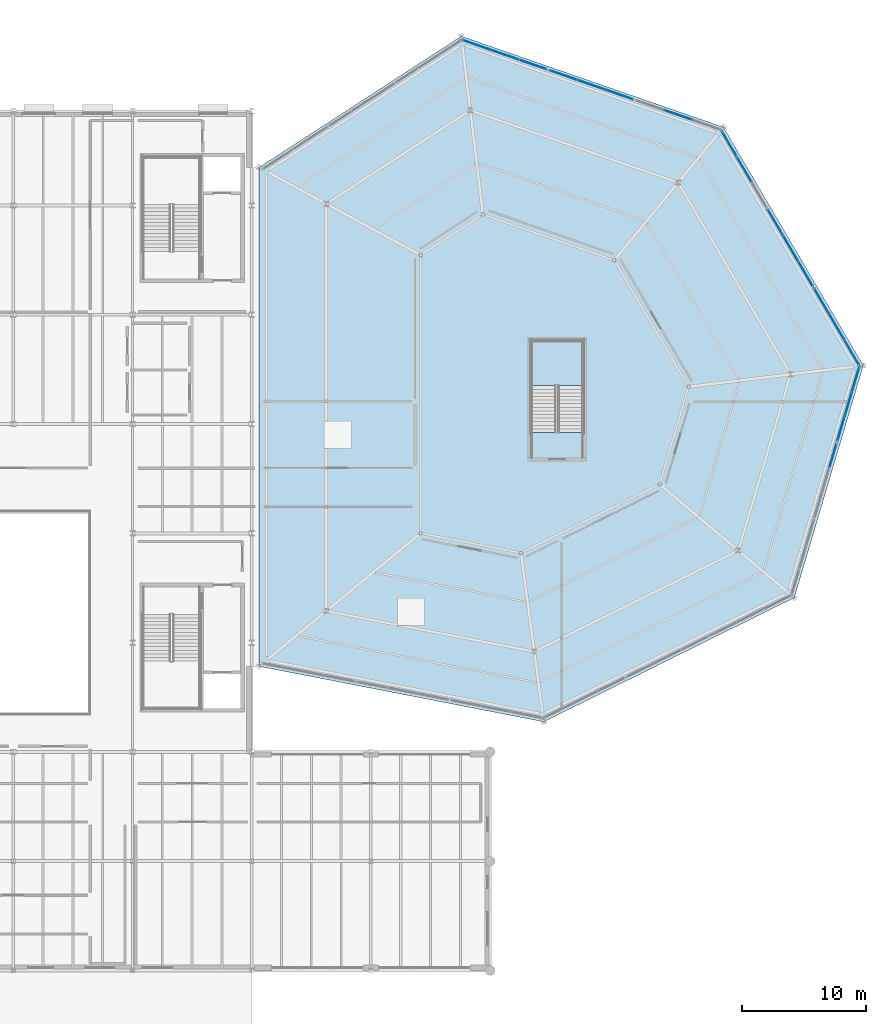
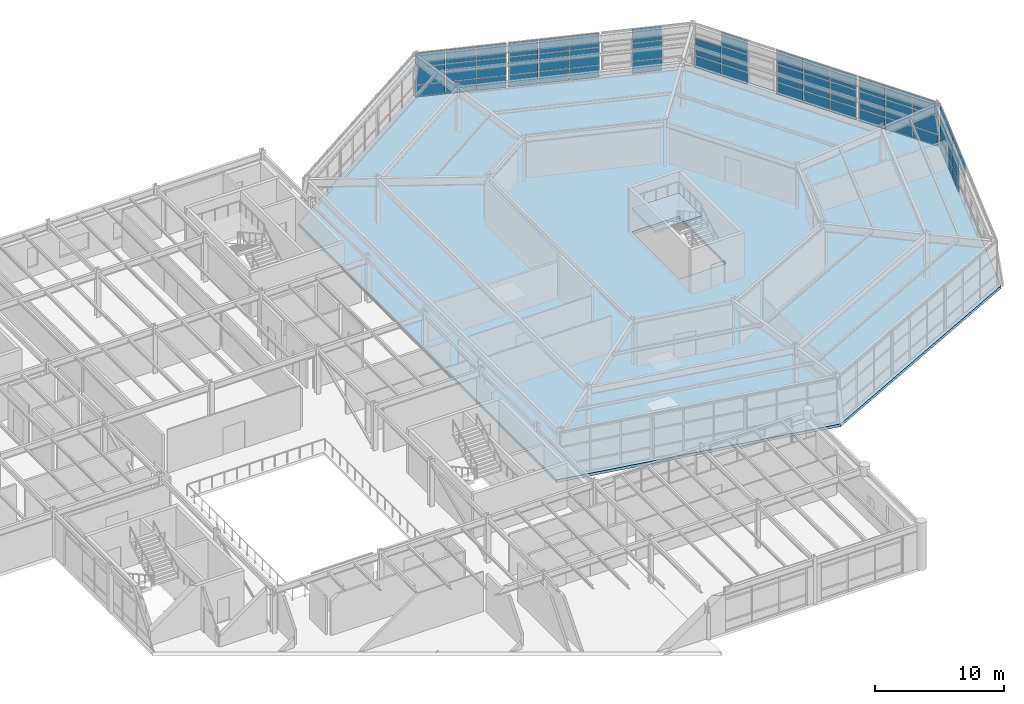
# One storey, part 56 of 88: 54 plates, 2 slabs, 9 elements without a shape of their own.
"""IFC4 building model written with IfcOpenShell, lengths in metres."""

from ifc_helpers import new_model, si_unit, direction, frame, origin, origin_2d, place, context, subcontext, project, spatial, polyline, rectangle, outline, extrude, material, layer, layer_set, type_object, element, aggregate, save


model = new_model("IFC4")

# Units and contexts
model_context = context("Model", 3, precision=1e-05, world=origin(), true_north=direction((0.0, 1.0)))
body_context = subcontext(model_context, "Body", "Model", "MODEL_VIEW")
ifc_project = project(units=[si_unit("LENGTHUNIT", "METRE"), si_unit("AREAUNIT", "SQUARE_METRE"), si_unit("VOLUMEUNIT", "CUBIC_METRE"), si_unit("PLANEANGLEUNIT", "RADIAN"), si_unit("MASSUNIT", "GRAM", prefix="KILO")], contexts=[model_context])

# Site, building, storey
site_placement = place(None, origin())
site = spatial("IfcSite", under=ifc_project, at=site_placement, CompositionType="ELEMENT")
building_placement = place(site_placement, origin())
building = spatial("IfcBuilding", under=site, at=building_placement, Name="Sarnbrook Museum", CompositionType="ELEMENT")
storey_placement = place(building_placement, frame((0.0, 0.0, 10.10009765625)))
storey = spatial("IfcBuildingStorey", under=building, at=storey_placement, Name="L02", CompositionType="ELEMENT", Elevation=10.10009765625)

# Curtain wall, plate
ifc_material_1 = material(Name="Thermally Broken Anodised Aluminium 6063-T6", Category="aluminium")
curtain_wall_type = type_object("IfcCurtainWallType", Name="CurtainWall_CrystalFacet", PredefinedType="NOTDEFINED", material=ifc_material_1)
curtain_wall_1_placement = place(storey_placement, origin())
curtain_wall_1 = element("IfcCurtainWall", 1, at=curtain_wall_1_placement, inside=storey, type_object=curtain_wall_type, Name="Crystal Hall Facet Curtain Wall L02-F3.2", PredefinedType="NOTDEFINED")
ifc_material_2 = material(Name="Double-Glazed Low-Iron Laminated Safety Glass", Category="glass")
ifc_layer_1 = layer(ifc_material_2, 0.031982421875)
ifc_layer_set_1 = layer_set([ifc_layer_1], Name="Double-Glazed Low-Iron Laminated Safety Glass")
plate_type_1 = type_object("IfcPlateType", Name="CW_GlazedPanel_32", PredefinedType="CURTAIN_PANEL", material=ifc_layer_set_1)
plate_1_placement = place(storey_placement, frame((166.001220703125, 80.652587890625, 3.544921875), z_axis=(0.95864604765, -0.284601045896, 0.0), x_axis=(0.284601045896, 0.95864604765, 0.0)))
plate_1 = element("IfcPlate", 2, at=plate_1_placement, type_object=plate_type_1, Name="Crystal Hall Facet Curtain Wall L02-F3.2 Glazed Panel 3-3", PredefinedType="CURTAIN_PANEL", context=body_context, shape_type="SweptSolid", body=[
    extrude(rectangle(XDim=2.0126953125, YDim=1.320068359375, at=origin_2d()), origin(), (0.0, 0.0, 1.0), 0.031982421875),
])
aggregate(curtain_wall_1, [plate_1])

# Curtain wall, plates
curtain_wall_2_placement = place(storey_placement, origin())
curtain_wall_2 = element("IfcCurtainWall", 3, at=curtain_wall_2_placement, inside=storey, type_object=curtain_wall_type, Name="Crystal Hall Facet Curtain Wall L02-F3.3", PredefinedType="NOTDEFINED")
plate_2_placement = place(storey_placement, frame((166.64111328125, 82.807373046875, 2.0), z_axis=(0.95864604765, -0.284601045896, 0.0), x_axis=(0.284601045896, 0.95864604765, 0.0)))
plate_2 = element("IfcPlate", 4, at=plate_2_placement, type_object=plate_type_1, Name="Crystal Hall Facet Curtain Wall L02-F3.3 Glazed Panel 1-2", PredefinedType="CURTAIN_PANEL", context=body_context, shape_type="SweptSolid", body=[
    extrude(rectangle(XDim=2.0126953125, YDim=1.6298828125, at=origin_2d()), origin(), (0.0, 0.0, 1.0), 0.031982421875),
])
plate_3_placement = place(storey_placement, frame((166.64111328125, 82.807373046875, 3.544921875), z_axis=(0.95864604765, -0.284601045896, 0.0), x_axis=(0.284601045896, 0.95864604765, 0.0)))
plate_3 = element("IfcPlate", 5, at=plate_3_placement, type_object=plate_type_1, Name="Crystal Hall Facet Curtain Wall L02-F3.3 Glazed Panel 1-3", PredefinedType="CURTAIN_PANEL", context=body_context, shape_type="SweptSolid", body=[
    extrude(rectangle(XDim=2.0126953125, YDim=1.320068359375, at=origin_2d()), origin(), (0.0, 0.0, 1.0), 0.031982421875),
])
plate_4_placement = place(storey_placement, frame((167.235107421875, 84.808837890625, 2.0), z_axis=(0.95864604765, -0.284601045896, 0.0), x_axis=(0.284601045896, 0.95864604765, 0.0)))
plate_4 = element("IfcPlate", 6, at=plate_4_placement, type_object=plate_type_1, Name="Crystal Hall Facet Curtain Wall L02-F3.3 Glazed Panel 2-2", PredefinedType="CURTAIN_PANEL", context=body_context, shape_type="SweptSolid", body=[
    extrude(rectangle(XDim=2.0126953125, YDim=1.6298828125, at=origin_2d()), origin(), (0.0, 0.0, 1.0), 0.031982421875),
])
plate_5_placement = place(storey_placement, frame((167.235107421875, 84.808837890625, 3.544921875), z_axis=(0.95864604765, -0.284601045896, 0.0), x_axis=(0.284601045896, 0.95864604765, 0.0)))
plate_5 = element("IfcPlate", 7, at=plate_5_placement, type_object=plate_type_1, Name="Crystal Hall Facet Curtain Wall L02-F3.3 Glazed Panel 2-3", PredefinedType="CURTAIN_PANEL", context=body_context, shape_type="SweptSolid", body=[
    extrude(rectangle(XDim=2.0126953125, YDim=1.320068359375, at=origin_2d()), origin(), (0.0, 0.0, 1.0), 0.031982421875),
])
plate_6_placement = place(storey_placement, frame((167.829345703125, 86.810302734375, 2.0), z_axis=(0.95864604765, -0.284601045896, 0.0), x_axis=(0.284601045896, 0.95864604765, 0.0)))
plate_6 = element("IfcPlate", 8, at=plate_6_placement, type_object=plate_type_1, Name="Crystal Hall Facet Curtain Wall L02-F3.3 Glazed Panel 3-2", PredefinedType="CURTAIN_PANEL", context=body_context, shape_type="SweptSolid", body=[
    extrude(rectangle(XDim=2.0126953125, YDim=1.6298828125, at=origin_2d()), origin(), (0.0, 0.0, 1.0), 0.031982421875),
])
plate_7_placement = place(storey_placement, frame((167.829345703125, 86.810302734375, 3.544921875), z_axis=(0.95864604765, -0.284601045896, 0.0), x_axis=(0.284601045896, 0.95864604765, 0.0)))
plate_7 = element("IfcPlate", 9, at=plate_7_placement, type_object=plate_type_1, Name="Crystal Hall Facet Curtain Wall L02-F3.3 Glazed Panel 3-3", PredefinedType="CURTAIN_PANEL", context=body_context, shape_type="SweptSolid", body=[
    extrude(rectangle(XDim=2.0126953125, YDim=1.320068359375, at=origin_2d()), origin(), (0.0, 0.0, 1.0), 0.031982421875),
])

curtain_wall_3_placement = place(storey_placement, origin())
curtain_wall_3 = element("IfcCurtainWall", 10, at=curtain_wall_3_placement, inside=storey, type_object=curtain_wall_type, Name="Crystal Hall Facet Curtain Wall L02-F4.1", PredefinedType="NOTDEFINED")
plate_8_placement = place(storey_placement, frame((167.50390625, 88.982666015625, 2.0), z_axis=(0.862497769864, 0.50606086292, 0.0), x_axis=(-0.50606086292, 0.862497769864, 0.0)))
plate_8 = element("IfcPlate", 11, at=plate_8_placement, type_object=plate_type_1, Name="Crystal Hall Facet Curtain Wall L02-F4.1 Glazed Panel 1-2", PredefinedType="CURTAIN_PANEL", context=body_context, shape_type="SweptSolid", body=[
    extrude(rectangle(XDim=2.31884765625, YDim=1.6298828125, at=origin_2d()), origin(), (0.0, 0.0, 1.0), 0.031982421875),
])
plate_9_placement = place(storey_placement, frame((167.50390625, 88.982666015625, 3.544921875), z_axis=(0.862497769864, 0.50606086292, 0.0), x_axis=(-0.50606086292, 0.862497769864, 0.0)))
plate_9 = element("IfcPlate", 12, at=plate_9_placement, type_object=plate_type_1, Name="Crystal Hall Facet Curtain Wall L02-F4.1 Glazed Panel 1-3", PredefinedType="CURTAIN_PANEL", context=body_context, shape_type="SweptSolid", body=[
    extrude(rectangle(XDim=2.31884765625, YDim=1.320068359375, at=origin_2d()), origin(), (0.0, 0.0, 1.0), 0.031982421875),
])
plate_10_placement = place(storey_placement, frame((166.29248046875, 91.04736328125, 2.0), z_axis=(0.862497769864, 0.50606086292, 0.0), x_axis=(-0.50606086292, 0.862497769864, 0.0)))
plate_10 = element("IfcPlate", 13, at=plate_10_placement, type_object=plate_type_1, Name="Crystal Hall Facet Curtain Wall L02-F4.1 Glazed Panel 2-2", PredefinedType="CURTAIN_PANEL", context=body_context, shape_type="SweptSolid", body=[
    extrude(rectangle(XDim=2.31884765625, YDim=1.6298828125, at=origin_2d()), origin(), (0.0, 0.0, 1.0), 0.031982421875),
])
plate_11_placement = place(storey_placement, frame((166.29248046875, 91.04736328125, 3.544921875), z_axis=(0.862497769864, 0.50606086292, 0.0), x_axis=(-0.50606086292, 0.862497769864, 0.0)))
plate_11 = element("IfcPlate", 14, at=plate_11_placement, type_object=plate_type_1, Name="Crystal Hall Facet Curtain Wall L02-F4.1 Glazed Panel 2-3", PredefinedType="CURTAIN_PANEL", context=body_context, shape_type="SweptSolid", body=[
    extrude(rectangle(XDim=2.31884765625, YDim=1.320068359375, at=origin_2d()), origin(), (0.0, 0.0, 1.0), 0.031982421875),
])
plate_12_placement = place(storey_placement, frame((165.0810546875, 93.112060546875, 2.0), z_axis=(0.862497769864, 0.50606086292, 0.0), x_axis=(-0.50606086292, 0.862497769864, 0.0)))
plate_12 = element("IfcPlate", 15, at=plate_12_placement, type_object=plate_type_1, Name="Crystal Hall Facet Curtain Wall L02-F4.1 Glazed Panel 3-2", PredefinedType="CURTAIN_PANEL", context=body_context, shape_type="SweptSolid", body=[
    extrude(rectangle(XDim=2.31884765625, YDim=1.6298828125, at=origin_2d()), origin(), (0.0, 0.0, 1.0), 0.031982421875),
])
plate_13_placement = place(storey_placement, frame((165.0810546875, 93.112060546875, 3.544921875), z_axis=(0.862497769864, 0.50606086292, 0.0), x_axis=(-0.50606086292, 0.862497769864, 0.0)))
plate_13 = element("IfcPlate", 16, at=plate_13_placement, type_object=plate_type_1, Name="Crystal Hall Facet Curtain Wall L02-F4.1 Glazed Panel 3-3", PredefinedType="CURTAIN_PANEL", context=body_context, shape_type="SweptSolid", body=[
    extrude(rectangle(XDim=2.31884765625, YDim=1.320068359375, at=origin_2d()), origin(), (0.0, 0.0, 1.0), 0.031982421875),
])

curtain_wall_4_placement = place(storey_placement, origin())
curtain_wall_4 = element("IfcCurtainWall", 17, at=curtain_wall_4_placement, inside=storey, type_object=curtain_wall_type, Name="Crystal Hall Facet Curtain Wall L02-F4.2", PredefinedType="NOTDEFINED")
plate_14_placement = place(storey_placement, frame((163.78857421875, 95.31494140625, 2.0), z_axis=(0.862497769864, 0.50606086292, 0.0), x_axis=(-0.50606086292, 0.862497769864, 0.0)))
plate_14 = element("IfcPlate", 18, at=plate_14_placement, type_object=plate_type_1, Name="Crystal Hall Facet Curtain Wall L02-F4.2 Glazed Panel 1-2", PredefinedType="CURTAIN_PANEL", context=body_context, shape_type="SweptSolid", body=[
    extrude(rectangle(XDim=2.31884765625, YDim=1.6298828125, at=origin_2d()), origin(), (0.0, 0.0, 1.0), 0.031982421875),
])
plate_15_placement = place(storey_placement, frame((163.78857421875, 95.31494140625, 3.544921875), z_axis=(0.862497769864, 0.50606086292, 0.0), x_axis=(-0.50606086292, 0.862497769864, 0.0)))
plate_15 = element("IfcPlate", 19, at=plate_15_placement, type_object=plate_type_1, Name="Crystal Hall Facet Curtain Wall L02-F4.2 Glazed Panel 1-3", PredefinedType="CURTAIN_PANEL", context=body_context, shape_type="SweptSolid", body=[
    extrude(rectangle(XDim=2.31884765625, YDim=1.320068359375, at=origin_2d()), origin(), (0.0, 0.0, 1.0), 0.031982421875),
])
plate_16_placement = place(storey_placement, frame((162.5771484375, 97.379638671875, 2.0), z_axis=(0.862497769864, 0.50606086292, 0.0), x_axis=(-0.50606086292, 0.862497769864, 0.0)))
plate_16 = element("IfcPlate", 20, at=plate_16_placement, type_object=plate_type_1, Name="Crystal Hall Facet Curtain Wall L02-F4.2 Glazed Panel 2-2", PredefinedType="CURTAIN_PANEL", context=body_context, shape_type="SweptSolid", body=[
    extrude(rectangle(XDim=2.31884765625, YDim=1.6298828125, at=origin_2d()), origin(), (0.0, 0.0, 1.0), 0.031982421875),
])
plate_17_placement = place(storey_placement, frame((162.5771484375, 97.379638671875, 3.544921875), z_axis=(0.862497769864, 0.50606086292, 0.0), x_axis=(-0.50606086292, 0.862497769864, 0.0)))
plate_17 = element("IfcPlate", 21, at=plate_17_placement, type_object=plate_type_1, Name="Crystal Hall Facet Curtain Wall L02-F4.2 Glazed Panel 2-3", PredefinedType="CURTAIN_PANEL", context=body_context, shape_type="SweptSolid", body=[
    extrude(rectangle(XDim=2.31884765625, YDim=1.320068359375, at=origin_2d()), origin(), (0.0, 0.0, 1.0), 0.031982421875),
])
plate_18_placement = place(storey_placement, frame((161.36572265625, 99.4443359375, 2.0), z_axis=(0.862497769864, 0.50606086292, 0.0), x_axis=(-0.50606086292, 0.862497769864, 0.0)))
plate_18 = element("IfcPlate", 22, at=plate_18_placement, type_object=plate_type_1, Name="Crystal Hall Facet Curtain Wall L02-F4.2 Glazed Panel 3-2", PredefinedType="CURTAIN_PANEL", context=body_context, shape_type="SweptSolid", body=[
    extrude(rectangle(XDim=2.31884765625, YDim=1.6298828125, at=origin_2d()), origin(), (0.0, 0.0, 1.0), 0.031982421875),
])
plate_19_placement = place(storey_placement, frame((161.36572265625, 99.4443359375, 3.544921875), z_axis=(0.862497769864, 0.50606086292, 0.0), x_axis=(-0.50606086292, 0.862497769864, 0.0)))
plate_19 = element("IfcPlate", 23, at=plate_19_placement, type_object=plate_type_1, Name="Crystal Hall Facet Curtain Wall L02-F4.2 Glazed Panel 3-3", PredefinedType="CURTAIN_PANEL", context=body_context, shape_type="SweptSolid", body=[
    extrude(rectangle(XDim=2.31884765625, YDim=1.320068359375, at=origin_2d()), origin(), (0.0, 0.0, 1.0), 0.031982421875),
])

curtain_wall_5_placement = place(storey_placement, origin())
curtain_wall_5 = element("IfcCurtainWall", 24, at=curtain_wall_5_placement, inside=storey, type_object=curtain_wall_type, Name="Crystal Hall Facet Curtain Wall L02-F4.3", PredefinedType="NOTDEFINED")
plate_20_placement = place(storey_placement, frame((158.86181640625, 103.7119140625, 2.0), z_axis=(0.862497769864, 0.50606086292, 0.0), x_axis=(-0.50606086292, 0.862497769864, 0.0)))
plate_20 = element("IfcPlate", 25, at=plate_20_placement, type_object=plate_type_1, Name="Crystal Hall Facet Curtain Wall L02-F4.3 Glazed Panel 2-2", PredefinedType="CURTAIN_PANEL", context=body_context, shape_type="SweptSolid", body=[
    extrude(rectangle(XDim=2.31884765625, YDim=1.6298828125, at=origin_2d()), origin(), (0.0, 0.0, 1.0), 0.031982421875),
])
plate_21_placement = place(storey_placement, frame((158.86181640625, 103.7119140625, 3.544921875), z_axis=(0.862497769864, 0.50606086292, 0.0), x_axis=(-0.50606086292, 0.862497769864, 0.0)))
plate_21 = element("IfcPlate", 26, at=plate_21_placement, type_object=plate_type_1, Name="Crystal Hall Facet Curtain Wall L02-F4.3 Glazed Panel 2-3", PredefinedType="CURTAIN_PANEL", context=body_context, shape_type="SweptSolid", body=[
    extrude(rectangle(XDim=2.31884765625, YDim=1.320068359375, at=origin_2d()), origin(), (0.0, 0.0, 1.0), 0.031982421875),
])
plate_22_placement = place(storey_placement, frame((157.650146484375, 105.776611328125, 2.0), z_axis=(0.862497769864, 0.50606086292, 0.0), x_axis=(-0.50606086292, 0.862497769864, 0.0)))
plate_22 = element("IfcPlate", 27, at=plate_22_placement, type_object=plate_type_1, Name="Crystal Hall Facet Curtain Wall L02-F4.3 Glazed Panel 3-2", PredefinedType="CURTAIN_PANEL", context=body_context, shape_type="SweptSolid", body=[
    extrude(rectangle(XDim=2.31884765625, YDim=1.6298828125, at=origin_2d()), origin(), (0.0, 0.0, 1.0), 0.031982421875),
])

curtain_wall_6_placement = place(storey_placement, origin())
curtain_wall_6 = element("IfcCurtainWall", 28, at=curtain_wall_6_placement, inside=storey, type_object=curtain_wall_type, Name="Crystal Hall Facet Curtain Wall L02-F5.1", PredefinedType="NOTDEFINED")
plate_23_placement = place(storey_placement, frame((153.52587890625, 108.08349609375, 2.0), z_axis=(0.328013258134, 0.944673119385, 0.0), x_axis=(-0.944673119385, 0.328013258134, 0.0)))
plate_23 = element("IfcPlate", 29, at=plate_23_placement, type_object=plate_type_1, Name="Crystal Hall Facet Curtain Wall L02-F5.1 Glazed Panel 2-2", PredefinedType="CURTAIN_PANEL", context=body_context, shape_type="SweptSolid", body=[
    extrude(rectangle(XDim=2.3291015625, YDim=1.6298828125, at=origin_2d()), origin(), (0.0, 0.0, 1.0), 0.031982421875),
])
plate_24_placement = place(storey_placement, frame((153.52587890625, 108.08349609375, 3.544921875), z_axis=(0.328013258134, 0.944673119385, 0.0), x_axis=(-0.944673119385, 0.328013258134, 0.0)))
plate_24 = element("IfcPlate", 30, at=plate_24_placement, type_object=plate_type_1, Name="Crystal Hall Facet Curtain Wall L02-F5.1 Glazed Panel 2-3", PredefinedType="CURTAIN_PANEL", context=body_context, shape_type="SweptSolid", body=[
    extrude(rectangle(XDim=2.3291015625, YDim=1.320068359375, at=origin_2d()), origin(), (0.0, 0.0, 1.0), 0.031982421875),
])

curtain_wall_7_placement = place(storey_placement, origin())
curtain_wall_7 = element("IfcCurtainWall", 31, at=curtain_wall_7_placement, inside=storey, type_object=curtain_wall_type, Name="Crystal Hall Facet Curtain Wall L02-F5.2", PredefinedType="NOTDEFINED")
plate_25_placement = place(storey_placement, frame((148.83251953125, 109.71337890625, 2.0), z_axis=(0.328013258134, 0.944673119385, 0.0), x_axis=(-0.944673119385, 0.328013258134, 0.0)))
plate_25 = element("IfcPlate", 32, at=plate_25_placement, type_object=plate_type_1, Name="Crystal Hall Facet Curtain Wall L02-F5.2 Glazed Panel 1-2", PredefinedType="CURTAIN_PANEL", context=body_context, shape_type="SweptSolid", body=[
    extrude(rectangle(XDim=2.3291015625, YDim=1.6298828125, at=origin_2d()), origin(), (0.0, 0.0, 1.0), 0.031982421875),
])
plate_26_placement = place(storey_placement, frame((148.83251953125, 109.71337890625, 3.544921875), z_axis=(0.328013258134, 0.944673119385, 0.0), x_axis=(-0.944673119385, 0.328013258134, 0.0)))
plate_26 = element("IfcPlate", 33, at=plate_26_placement, type_object=plate_type_1, Name="Crystal Hall Facet Curtain Wall L02-F5.2 Glazed Panel 1-3", PredefinedType="CURTAIN_PANEL", context=body_context, shape_type="SweptSolid", body=[
    extrude(rectangle(XDim=2.3291015625, YDim=1.320068359375, at=origin_2d()), origin(), (0.0, 0.0, 1.0), 0.031982421875),
])
plate_27_placement = place(storey_placement, frame((146.561279296875, 110.501953125, 2.0), z_axis=(0.328013258134, 0.944673119385, 0.0), x_axis=(-0.944673119385, 0.328013258134, 0.0)))
plate_27 = element("IfcPlate", 34, at=plate_27_placement, type_object=plate_type_1, Name="Crystal Hall Facet Curtain Wall L02-F5.2 Glazed Panel 2-2", PredefinedType="CURTAIN_PANEL", context=body_context, shape_type="SweptSolid", body=[
    extrude(rectangle(XDim=2.3291015625, YDim=1.6298828125, at=origin_2d()), origin(), (0.0, 0.0, 1.0), 0.031982421875),
])
plate_28_placement = place(storey_placement, frame((146.561279296875, 110.501953125, 3.544921875), z_axis=(0.328013258134, 0.944673119385, 0.0), x_axis=(-0.944673119385, 0.328013258134, 0.0)))
plate_28 = element("IfcPlate", 35, at=plate_28_placement, type_object=plate_type_1, Name="Crystal Hall Facet Curtain Wall L02-F5.2 Glazed Panel 2-3", PredefinedType="CURTAIN_PANEL", context=body_context, shape_type="SweptSolid", body=[
    extrude(rectangle(XDim=2.3291015625, YDim=1.320068359375, at=origin_2d()), origin(), (0.0, 0.0, 1.0), 0.031982421875),
])
plate_29_placement = place(storey_placement, frame((144.290283203125, 111.29052734375, 2.0), z_axis=(0.328013258134, 0.944673119385, 0.0), x_axis=(-0.944673119385, 0.328013258134, 0.0)))
plate_29 = element("IfcPlate", 36, at=plate_29_placement, type_object=plate_type_1, Name="Crystal Hall Facet Curtain Wall L02-F5.2 Glazed Panel 3-2", PredefinedType="CURTAIN_PANEL", context=body_context, shape_type="SweptSolid", body=[
    extrude(rectangle(XDim=2.3291015625, YDim=1.6298828125, at=origin_2d()), origin(), (0.0, 0.0, 1.0), 0.031982421875),
])
plate_30_placement = place(storey_placement, frame((144.290283203125, 111.29052734375, 3.544921875), z_axis=(0.328013258134, 0.944673119385, 0.0), x_axis=(-0.944673119385, 0.328013258134, 0.0)))
plate_30 = element("IfcPlate", 37, at=plate_30_placement, type_object=plate_type_1, Name="Crystal Hall Facet Curtain Wall L02-F5.2 Glazed Panel 3-3", PredefinedType="CURTAIN_PANEL", context=body_context, shape_type="SweptSolid", body=[
    extrude(rectangle(XDim=2.3291015625, YDim=1.320068359375, at=origin_2d()), origin(), (0.0, 0.0, 1.0), 0.031982421875),
])

curtain_wall_8_placement = place(storey_placement, origin())
curtain_wall_8 = element("IfcCurtainWall", 38, at=curtain_wall_8_placement, inside=storey, type_object=curtain_wall_type, Name="Crystal Hall Facet Curtain Wall L02-F5.3", PredefinedType="NOTDEFINED")
plate_31_placement = place(storey_placement, frame((141.86767578125, 112.131591796875, 2.0), z_axis=(0.328013258134, 0.944673119385, 0.0), x_axis=(-0.944673119385, 0.328013258134, 0.0)))
plate_31 = element("IfcPlate", 39, at=plate_31_placement, type_object=plate_type_1, Name="Crystal Hall Facet Curtain Wall L02-F5.3 Glazed Panel 1-2", PredefinedType="CURTAIN_PANEL", context=body_context, shape_type="SweptSolid", body=[
    extrude(rectangle(XDim=2.3291015625, YDim=1.6298828125, at=origin_2d()), origin(), (0.0, 0.0, 1.0), 0.031982421875),
])
plate_32_placement = place(storey_placement, frame((141.86767578125, 112.131591796875, 3.544921875), z_axis=(0.328013258134, 0.944673119385, 0.0), x_axis=(-0.944673119385, 0.328013258134, 0.0)))
plate_32 = element("IfcPlate", 40, at=plate_32_placement, type_object=plate_type_1, Name="Crystal Hall Facet Curtain Wall L02-F5.3 Glazed Panel 1-3", PredefinedType="CURTAIN_PANEL", context=body_context, shape_type="SweptSolid", body=[
    extrude(rectangle(XDim=2.3291015625, YDim=1.320068359375, at=origin_2d()), origin(), (0.0, 0.0, 1.0), 0.031982421875),
])
plate_33_placement = place(storey_placement, frame((139.5966796875, 112.920166015625, 2.0), z_axis=(0.328013258134, 0.944673119385, 0.0), x_axis=(-0.944673119385, 0.328013258134, 0.0)))
plate_33 = element("IfcPlate", 41, at=plate_33_placement, type_object=plate_type_1, Name="Crystal Hall Facet Curtain Wall L02-F5.3 Glazed Panel 2-2", PredefinedType="CURTAIN_PANEL", context=body_context, shape_type="SweptSolid", body=[
    extrude(rectangle(XDim=2.3291015625, YDim=1.6298828125, at=origin_2d()), origin(), (0.0, 0.0, 1.0), 0.031982421875),
])
plate_34_placement = place(storey_placement, frame((139.5966796875, 112.920166015625, 3.544921875), z_axis=(0.328013258134, 0.944673119385, 0.0), x_axis=(-0.944673119385, 0.328013258134, 0.0)))
plate_34 = element("IfcPlate", 42, at=plate_34_placement, type_object=plate_type_1, Name="Crystal Hall Facet Curtain Wall L02-F5.3 Glazed Panel 2-3", PredefinedType="CURTAIN_PANEL", context=body_context, shape_type="SweptSolid", body=[
    extrude(rectangle(XDim=2.3291015625, YDim=1.320068359375, at=origin_2d()), origin(), (0.0, 0.0, 1.0), 0.031982421875),
])
plate_35_placement = place(storey_placement, frame((137.325439453125, 113.708740234375, 2.0), z_axis=(0.328013258134, 0.944673119385, 0.0), x_axis=(-0.944673119385, 0.328013258134, 0.0)))
plate_35 = element("IfcPlate", 43, at=plate_35_placement, type_object=plate_type_1, Name="Crystal Hall Facet Curtain Wall L02-F5.3 Glazed Panel 3-2", PredefinedType="CURTAIN_PANEL", context=body_context, shape_type="SweptSolid", body=[
    extrude(rectangle(XDim=2.3291015625, YDim=1.6298828125, at=origin_2d()), origin(), (0.0, 0.0, 1.0), 0.031982421875),
])
plate_36_placement = place(storey_placement, frame((137.325439453125, 113.708740234375, 3.544921875), z_axis=(0.328013258134, 0.944673119385, 0.0), x_axis=(-0.944673119385, 0.328013258134, 0.0)))
plate_36 = element("IfcPlate", 44, at=plate_36_placement, type_object=plate_type_1, Name="Crystal Hall Facet Curtain Wall L02-F5.3 Glazed Panel 3-3", PredefinedType="CURTAIN_PANEL", context=body_context, shape_type="SweptSolid", body=[
    extrude(rectangle(XDim=2.3291015625, YDim=1.320068359375, at=origin_2d()), origin(), (0.0, 0.0, 1.0), 0.031982421875),
])

# Plate
ifc_material_3 = material(Name="Patinated Architectural Bronze")
ifc_layer_2 = layer(ifc_material_3, 0.044921875)
ifc_layer_set_2 = layer_set([ifc_layer_2], Name="Patinated Architectural Bronze")
plate_type_2 = type_object("IfcPlateType", Name="CW_SpandrelPanel_45", PredefinedType="CURTAIN_PANEL", material=ifc_layer_set_2)
plate_37_placement = place(storey_placement, frame((166.635009765625, 82.80908203125, 0.574951171875), z_axis=(0.95864604765, -0.284601045896, 0.0), x_axis=(0.284601045896, 0.95864604765, 0.0)))
plate_37 = element("IfcPlate", 45, at=plate_37_placement, type_object=plate_type_2, Name="Crystal Hall Facet Curtain Wall L02-F3.3 Spandrel Panel 1-1", PredefinedType="CURTAIN_PANEL", context=body_context, shape_type="SweptSolid", body=[
    extrude(rectangle(XDim=2.0126953125, YDim=1.080078125, at=origin_2d()), origin(), (0.0, 0.0, 1.0), 0.044921875),
])

plate_38_placement = place(storey_placement, frame((167.22900390625, 84.810546875, 0.574951171875), z_axis=(0.95864604765, -0.284601045896, 0.0), x_axis=(0.284601045896, 0.95864604765, 0.0)))
plate_38 = element("IfcPlate", 46, at=plate_38_placement, type_object=plate_type_2, Name="Crystal Hall Facet Curtain Wall L02-F3.3 Spandrel Panel 2-1", PredefinedType="CURTAIN_PANEL", context=body_context, shape_type="SweptSolid", body=[
    extrude(rectangle(XDim=2.0126953125, YDim=1.080078125, at=origin_2d()), origin(), (0.0, 0.0, 1.0), 0.044921875),
])

plate_39_placement = place(storey_placement, frame((167.8232421875, 86.81201171875, 0.574951171875), z_axis=(0.95864604765, -0.284601045896, 0.0), x_axis=(0.284601045896, 0.95864604765, 0.0)))
plate_39 = element("IfcPlate", 47, at=plate_39_placement, type_object=plate_type_2, Name="Crystal Hall Facet Curtain Wall L02-F3.3 Spandrel Panel 3-1", PredefinedType="CURTAIN_PANEL", context=body_context, shape_type="SweptSolid", body=[
    extrude(rectangle(XDim=2.0126953125, YDim=1.080078125, at=origin_2d()), origin(), (0.0, 0.0, 1.0), 0.044921875),
])

aggregate(curtain_wall_2, [plate_37, plate_2, plate_3, plate_38, plate_4, plate_5, plate_39, plate_6, plate_7])

plate_40_placement = place(storey_placement, frame((167.498291015625, 88.979248046875, 0.574951171875), z_axis=(0.862497769864, 0.50606086292, 0.0), x_axis=(-0.50606086292, 0.862497769864, 0.0)))
plate_40 = element("IfcPlate", 48, at=plate_40_placement, type_object=plate_type_2, Name="Crystal Hall Facet Curtain Wall L02-F4.1 Spandrel Panel 1-1", PredefinedType="CURTAIN_PANEL", context=body_context, shape_type="SweptSolid", body=[
    extrude(rectangle(XDim=2.31884765625, YDim=1.080078125, at=origin_2d()), origin(), (0.0, 0.0, 1.0), 0.044921875),
])

plate_41_placement = place(storey_placement, frame((166.286865234375, 91.0439453125, 0.574951171875), z_axis=(0.862497769864, 0.50606086292, 0.0), x_axis=(-0.50606086292, 0.862497769864, 0.0)))
plate_41 = element("IfcPlate", 49, at=plate_41_placement, type_object=plate_type_2, Name="Crystal Hall Facet Curtain Wall L02-F4.1 Spandrel Panel 2-1", PredefinedType="CURTAIN_PANEL", context=body_context, shape_type="SweptSolid", body=[
    extrude(rectangle(XDim=2.31884765625, YDim=1.080078125, at=origin_2d()), origin(), (0.0, 0.0, 1.0), 0.044921875),
])

plate_42_placement = place(storey_placement, frame((165.075439453125, 93.108642578125, 0.574951171875), z_axis=(0.862497769864, 0.50606086292, 0.0), x_axis=(-0.50606086292, 0.862497769864, 0.0)))
plate_42 = element("IfcPlate", 50, at=plate_42_placement, type_object=plate_type_2, Name="Crystal Hall Facet Curtain Wall L02-F4.1 Spandrel Panel 3-1", PredefinedType="CURTAIN_PANEL", context=body_context, shape_type="SweptSolid", body=[
    extrude(rectangle(XDim=2.31884765625, YDim=1.080078125, at=origin_2d()), origin(), (0.0, 0.0, 1.0), 0.044921875),
])

aggregate(curtain_wall_3, [plate_40, plate_8, plate_9, plate_41, plate_10, plate_11, plate_42, plate_12, plate_13])

plate_43_placement = place(storey_placement, frame((163.782958984375, 95.3115234375, 0.574951171875), z_axis=(0.862497769864, 0.50606086292, 0.0), x_axis=(-0.50606086292, 0.862497769864, 0.0)))
plate_43 = element("IfcPlate", 51, at=plate_43_placement, type_object=plate_type_2, Name="Crystal Hall Facet Curtain Wall L02-F4.2 Spandrel Panel 1-1", PredefinedType="CURTAIN_PANEL", context=body_context, shape_type="SweptSolid", body=[
    extrude(rectangle(XDim=2.31884765625, YDim=1.080078125, at=origin_2d()), origin(), (0.0, 0.0, 1.0), 0.044921875),
])

plate_44_placement = place(storey_placement, frame((162.571533203125, 97.376220703125, 0.574951171875), z_axis=(0.862497769864, 0.50606086292, 0.0), x_axis=(-0.50606086292, 0.862497769864, 0.0)))
plate_44 = element("IfcPlate", 52, at=plate_44_placement, type_object=plate_type_2, Name="Crystal Hall Facet Curtain Wall L02-F4.2 Spandrel Panel 2-1", PredefinedType="CURTAIN_PANEL", context=body_context, shape_type="SweptSolid", body=[
    extrude(rectangle(XDim=2.31884765625, YDim=1.080078125, at=origin_2d()), origin(), (0.0, 0.0, 1.0), 0.044921875),
])

plate_45_placement = place(storey_placement, frame((161.360107421875, 99.44091796875, 0.574951171875), z_axis=(0.862497769864, 0.50606086292, 0.0), x_axis=(-0.50606086292, 0.862497769864, 0.0)))
plate_45 = element("IfcPlate", 53, at=plate_45_placement, type_object=plate_type_2, Name="Crystal Hall Facet Curtain Wall L02-F4.2 Spandrel Panel 3-1", PredefinedType="CURTAIN_PANEL", context=body_context, shape_type="SweptSolid", body=[
    extrude(rectangle(XDim=2.31884765625, YDim=1.080078125, at=origin_2d()), origin(), (0.0, 0.0, 1.0), 0.044921875),
])

aggregate(curtain_wall_4, [plate_43, plate_14, plate_15, plate_44, plate_16, plate_17, plate_45, plate_18, plate_19])

plate_46_placement = place(storey_placement, frame((158.856201171875, 103.70849609375, 0.574951171875), z_axis=(0.862497769864, 0.50606086292, 0.0), x_axis=(-0.50606086292, 0.862497769864, 0.0)))
plate_46 = element("IfcPlate", 54, at=plate_46_placement, type_object=plate_type_2, Name="Crystal Hall Facet Curtain Wall L02-F4.3 Spandrel Panel 2-1", PredefinedType="CURTAIN_PANEL", context=body_context, shape_type="SweptSolid", body=[
    extrude(rectangle(XDim=2.31884765625, YDim=1.080078125, at=origin_2d()), origin(), (0.0, 0.0, 1.0), 0.044921875),
])

plate_47_placement = place(storey_placement, frame((157.64453125, 105.773193359375, 0.574951171875), z_axis=(0.862497769864, 0.50606086292, 0.0), x_axis=(-0.50606086292, 0.862497769864, 0.0)))
plate_47 = element("IfcPlate", 55, at=plate_47_placement, type_object=plate_type_2, Name="Crystal Hall Facet Curtain Wall L02-F4.3 Spandrel Panel 3-1", PredefinedType="CURTAIN_PANEL", context=body_context, shape_type="SweptSolid", body=[
    extrude(rectangle(XDim=2.31884765625, YDim=1.080078125, at=origin_2d()), origin(), (0.0, 0.0, 1.0), 0.044921875),
])

aggregate(curtain_wall_5, [plate_46, plate_20, plate_21, plate_47, plate_22])

plate_48_placement = place(storey_placement, frame((153.523681640625, 108.077392578125, 0.574951171875), z_axis=(0.328013258134, 0.944673119385, 0.0), x_axis=(-0.944673119385, 0.328013258134, 0.0)))
plate_48 = element("IfcPlate", 56, at=plate_48_placement, type_object=plate_type_2, Name="Crystal Hall Facet Curtain Wall L02-F5.1 Spandrel Panel 2-1", PredefinedType="CURTAIN_PANEL", context=body_context, shape_type="SweptSolid", body=[
    extrude(rectangle(XDim=2.3291015625, YDim=1.080078125, at=origin_2d()), origin(), (0.0, 0.0, 1.0), 0.044921875),
])

aggregate(curtain_wall_6, [plate_48, plate_23, plate_24])

plate_49_placement = place(storey_placement, frame((148.830322265625, 109.707275390625, 0.574951171875), z_axis=(0.328013258134, 0.944673119385, 0.0), x_axis=(-0.944673119385, 0.328013258134, 0.0)))
plate_49 = element("IfcPlate", 57, at=plate_49_placement, type_object=plate_type_2, Name="Crystal Hall Facet Curtain Wall L02-F5.2 Spandrel Panel 1-1", PredefinedType="CURTAIN_PANEL", context=body_context, shape_type="SweptSolid", body=[
    extrude(rectangle(XDim=2.3291015625, YDim=1.080078125, at=origin_2d()), origin(), (0.0, 0.0, 1.0), 0.044921875),
])

plate_50_placement = place(storey_placement, frame((146.55908203125, 110.495849609375, 0.574951171875), z_axis=(0.328013258134, 0.944673119385, 0.0), x_axis=(-0.944673119385, 0.328013258134, 0.0)))
plate_50 = element("IfcPlate", 58, at=plate_50_placement, type_object=plate_type_2, Name="Crystal Hall Facet Curtain Wall L02-F5.2 Spandrel Panel 2-1", PredefinedType="CURTAIN_PANEL", context=body_context, shape_type="SweptSolid", body=[
    extrude(rectangle(XDim=2.3291015625, YDim=1.080078125, at=origin_2d()), origin(), (0.0, 0.0, 1.0), 0.044921875),
])

plate_51_placement = place(storey_placement, frame((144.2880859375, 111.284423828125, 0.574951171875), z_axis=(0.328013258134, 0.944673119385, 0.0), x_axis=(-0.944673119385, 0.328013258134, 0.0)))
plate_51 = element("IfcPlate", 59, at=plate_51_placement, type_object=plate_type_2, Name="Crystal Hall Facet Curtain Wall L02-F5.2 Spandrel Panel 3-1", PredefinedType="CURTAIN_PANEL", context=body_context, shape_type="SweptSolid", body=[
    extrude(rectangle(XDim=2.3291015625, YDim=1.080078125, at=origin_2d()), origin(), (0.0, 0.0, 1.0), 0.044921875),
])

aggregate(curtain_wall_7, [plate_49, plate_25, plate_26, plate_50, plate_27, plate_28, plate_51, plate_29, plate_30])

plate_52_placement = place(storey_placement, frame((141.865478515625, 112.12548828125, 0.574951171875), z_axis=(0.328013258134, 0.944673119385, 0.0), x_axis=(-0.944673119385, 0.328013258134, 0.0)))
plate_52 = element("IfcPlate", 60, at=plate_52_placement, type_object=plate_type_2, Name="Crystal Hall Facet Curtain Wall L02-F5.3 Spandrel Panel 1-1", PredefinedType="CURTAIN_PANEL", context=body_context, shape_type="SweptSolid", body=[
    extrude(rectangle(XDim=2.3291015625, YDim=1.080078125, at=origin_2d()), origin(), (0.0, 0.0, 1.0), 0.044921875),
])

plate_53_placement = place(storey_placement, frame((139.594482421875, 112.9140625, 0.574951171875), z_axis=(0.328013258134, 0.944673119385, 0.0), x_axis=(-0.944673119385, 0.328013258134, 0.0)))
plate_53 = element("IfcPlate", 61, at=plate_53_placement, type_object=plate_type_2, Name="Crystal Hall Facet Curtain Wall L02-F5.3 Spandrel Panel 2-1", PredefinedType="CURTAIN_PANEL", context=body_context, shape_type="SweptSolid", body=[
    extrude(rectangle(XDim=2.3291015625, YDim=1.080078125, at=origin_2d()), origin(), (0.0, 0.0, 1.0), 0.044921875),
])

plate_54_placement = place(storey_placement, frame((137.3232421875, 113.70263671875, 0.574951171875), z_axis=(0.328013258134, 0.944673119385, 0.0), x_axis=(-0.944673119385, 0.328013258134, 0.0)))
plate_54 = element("IfcPlate", 62, at=plate_54_placement, type_object=plate_type_2, Name="Crystal Hall Facet Curtain Wall L02-F5.3 Spandrel Panel 3-1", PredefinedType="CURTAIN_PANEL", context=body_context, shape_type="SweptSolid", body=[
    extrude(rectangle(XDim=2.3291015625, YDim=1.080078125, at=origin_2d()), origin(), (0.0, 0.0, 1.0), 0.044921875),
])

aggregate(curtain_wall_8, [plate_52, plate_31, plate_32, plate_53, plate_33, plate_34, plate_54, plate_35, plate_36])

# Slab
ifc_material_4 = material(Name="Concrete N40 (AS 3600, f'c = 40 MPa)", Category="concrete")
ifc_layer_3 = layer(ifc_material_4, 0.260009765625)
ifc_layer_set_3 = layer_set([ifc_layer_3], Name="Concrete N40 (AS 3600, f'c = 40 MPa)")
slab_type_1 = type_object("IfcSlabType", Name="FloorSlab_260", PredefinedType="FLOOR", material=ifc_layer_set_3)
slab_1_placement = place(storey_placement, frame((0.0, 0.0, -0.260009765625)))
element("IfcSlab", 63, at=slab_1_placement, inside=storey, type_object=slab_type_1, Name="V1 Structural Slab L02", PredefinedType="FLOOR", context=body_context, shape_type="SweptSolid", body=[
    extrude(outline(polyline([(136.079345703125, 114.4453125), (157.199462890625, 107.112060546875), (168.458984375, 87.922119140625), (162.905517578125, 69.21630859375), (142.716796875, 59.2197265625), (119.79248046875, 63.68798828125), (119.79248046875, 103.878173828125), (136.079345703125, 114.4453125)]), holes=[polyline([(145.89990234375, 82.5205078125), (141.699951171875, 82.5205078125), (141.699951171875, 89.89990234375), (145.89990234375, 89.89990234375), (145.89990234375, 82.5205078125)])]), origin(), (0.0, 0.0, 1.0), 0.260009765625),
])

# Stair, slab
stair_type = type_object("IfcStairType", Name="Stair_ST07", PredefinedType="HALF_TURN_STAIR", material=ifc_material_4)
stair_placement = place(storey_placement, origin())
stair = element("IfcStair", 64, at=stair_placement, inside=storey, type_object=stair_type, Name="L02 Exit Stair ST7", PredefinedType="HALF_TURN_STAIR")
ifc_layer_4 = layer(ifc_material_4, 0.199951171875)
ifc_layer_set_4 = layer_set([ifc_layer_4], Name="Concrete N40 (AS 3600, f'c = 40 MPa)")
slab_type_2 = type_object("IfcSlabType", Name="Landing_200", PredefinedType="LANDING", material=ifc_layer_set_4)
slab_2_placement = place(storey_placement, frame((0.0, 0.0, 2.0498046875)))
slab_2 = element("IfcSlab", 65, at=slab_2_placement, type_object=slab_type_2, Name="ST7 landing 1", PredefinedType="LANDING", context=body_context, shape_type="SweptSolid", body=[
    extrude(outline(polyline([(145.89990234375, 86.2900390625), (145.89990234375, 89.89990234375), (141.699951171875, 89.89990234375), (141.699951171875, 86.2900390625), (145.89990234375, 86.2900390625)])), origin(), (0.0, 0.0, 1.0), 0.2001953125),
])
aggregate(stair, [slab_2])

save(model, "model.ifc")
